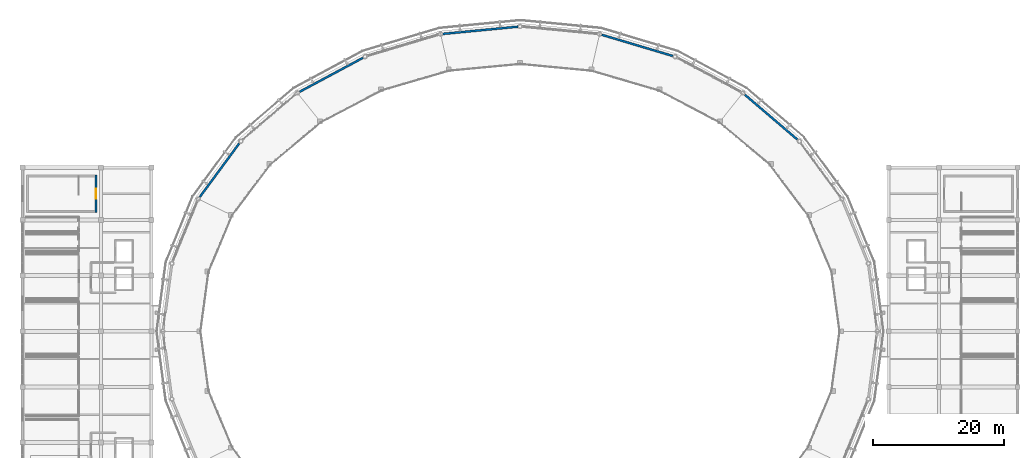
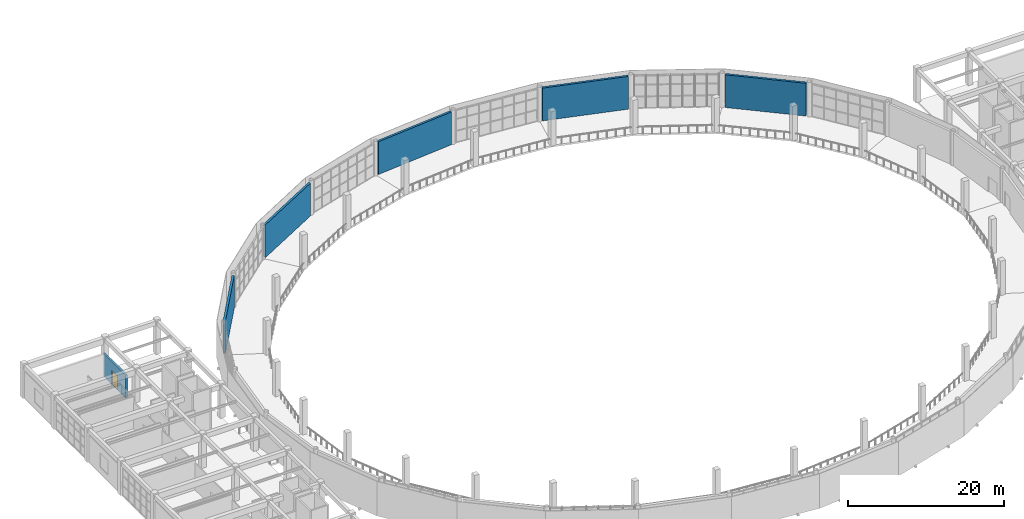
# One storey, part 33 of 40: 6 walls, 1 door, 1 opening.
"""IFC4 building model written with IfcOpenShell, lengths in metres."""

from ifc_helpers import new_model, si_unit, direction, frame, frame_2d, origin, place, context, subcontext, project, spatial, rectangle, extrude, material, layer, layer_set, type_object, element, fill, save


model = new_model("IFC4")

# Units and contexts
model_context = context("Model", 3, precision=1e-05, world=origin(), true_north=direction((0.0, 1.0)))
body_context = subcontext(model_context, "Body", "Model", "MODEL_VIEW")
ifc_project = project(units=[si_unit("LENGTHUNIT", "METRE"), si_unit("AREAUNIT", "SQUARE_METRE"), si_unit("VOLUMEUNIT", "CUBIC_METRE"), si_unit("PLANEANGLEUNIT", "RADIAN"), si_unit("MASSUNIT", "GRAM", prefix="KILO")], contexts=[model_context])

# Site, building, storey
site_placement = place(None, origin())
site = spatial("IfcSite", under=ifc_project, at=site_placement, CompositionType="ELEMENT")
building_placement = place(site_placement, origin())
building = spatial("IfcBuilding", under=site, at=building_placement, Name="Cuetzalor Civic Arena", CompositionType="ELEMENT")
storey_placement = place(building_placement, frame((0.0, 0.0, 26.39990234375)))
storey = spatial("IfcBuildingStorey", under=building, at=storey_placement, Name="L05", CompositionType="ELEMENT", Elevation=26.39990234375)

# Wall, opening, door
ifc_material_1 = material(Name="Concrete C40/50", Category="concrete")
ifc_layer_1 = layer(ifc_material_1, 0.25)
ifc_layer_set_1 = layer_set([ifc_layer_1], Name="Concrete C40/50")
wall_type_1 = type_object("IfcWallType", Name="ConcreteCoreShearWall_250", PredefinedType="SHEAR", material=ifc_layer_set_1)
wall_1_placement = place(storey_placement, frame((-64.77490234375, 23.85009765625, 0.0), z_axis=(0.0, 0.0, 1.0), x_axis=(0.0, -1.0, 0.0)))
wall_1 = element("IfcWall", 1, at=wall_1_placement, inside=storey, type_object=wall_type_1, Name="Stair Core Shear Wall ST-17-L05-E", PredefinedType="SHEAR", context=body_context, shape_type="SweptSolid", body=[
    extrude(rectangle(XDim=5.7001953125, YDim=0.25, at=frame_2d((2.85009765625, 0.0))), origin(), (0.0, 0.0, 1.0), 3.60009765625),
])
opening_placement = place(wall_1_placement, frame((2.10009765625, 0.0, 0.0)))
opening = element("IfcOpeningElement", 2, at=opening_placement, cuts=wall_1, Name="Opening FD-03", PredefinedType="OPENING", context=body_context, shape_type="SweptSolid", body=[
    extrude(rectangle(XDim=1.5, YDim=2.199951171875, at=frame_2d((0.75, 1.10009765625))), frame((0.0, 0.135009765625, 0.0), z_axis=(0.0, -1.0, 0.0), x_axis=(1.0, 0.0, 0.0)), (0.0, 0.0, 1.0), 0.27001953125),
])
ifc_material_2 = material(Name="Fire-rated steel stair exit double door", Category="steel")
door_type = type_object("IfcDoorType", Name="StairFireDoubleDoor_1500x2200", OperationType="DOUBLE_DOOR_SINGLE_SWING", PredefinedType="DOOR", material=ifc_material_2)
door_placement = place(opening_placement, origin())
door = element("IfcDoor", 3, at=door_placement, inside=storey, type_object=door_type, Name="Fire Stair Door ST-17 L05", OperationType="DOUBLE_DOOR_SINGLE_SWING", OverallHeight=2.199951171875, OverallWidth=1.5, PredefinedType="DOOR", context=body_context, shape_type="SweptSolid", body=[
    extrude(rectangle(XDim=1.5, YDim=2.199951171875, at=frame_2d((0.75, 1.10009765625))), frame((0.0, 0.02490234375, 0.0), z_axis=(0.0, -1.0, 0.0), x_axis=(1.0, 0.0, 0.0)), (0.0, 0.0, 1.0), 0.050048828125),
])
fill(opening, door)

# Walls
ifc_material_3 = material(Name="Precast concrete C40/50 insulated cladding", Category="concrete")
ifc_layer_2 = layer(ifc_material_3, 0.320068359375)
ifc_layer_set_2 = layer_set([ifc_layer_2], Name="Precast concrete C40/50 insulated cladding")
wall_type_2 = type_object("IfcWallType", Name="InsulatedPrecastWall_320", PredefinedType="SOLIDWALL", material=ifc_layer_set_2)
wall_2_placement = place(storey_placement, frame((34.32470703125, 36.126953125, 0.0), z_axis=(0.0, 0.0, 1.0), x_axis=(0.760681761173, -0.649124994296, 0.0)))
element("IfcWall", 4, at=wall_2_placement, inside=storey, type_object=wall_type_2, Name="Drum Acoustic Backing Wall L05-075", PredefinedType="SOLIDWALL", context=body_context, shape_type="SweptSolid", body=[
    extrude(rectangle(XDim=10.531005859375, YDim=0.320068359375, at=frame_2d((5.265625, 0.0))), origin(), (0.0, 0.0, 1.0), 5.135986328125),
])
wall_3_placement = place(storey_placement, frame((12.48486328125, 45.279541015625, 0.0), z_axis=(0.0, 0.0, 1.0), x_axis=(0.958192076012, -0.286125751144, 0.0)))
element("IfcWall", 5, at=wall_3_placement, inside=storey, type_object=wall_type_2, Name="Drum Acoustic Backing Wall L05-076", PredefinedType="SOLIDWALL", context=body_context, shape_type="SweptSolid", body=[
    extrude(rectangle(XDim=11.31005859375, YDim=0.320068359375, at=frame_2d((5.655029296875, 0.0))), origin(), (0.0, 0.0, 1.0), 5.135986328125),
])
wall_4_placement = place(storey_placement, frame((-11.8251953125, 45.4130859375, 0.0), z_axis=(0.0, 0.0, 1.0), x_axis=(0.995408913067, 0.095713613383, 0.0)))
element("IfcWall", 6, at=wall_4_placement, inside=storey, type_object=wall_type_2, Name="Drum Acoustic Backing Wall L05-077", PredefinedType="SOLIDWALL", context=body_context, shape_type="SweptSolid", body=[
    extrude(rectangle(XDim=11.56494140625, YDim=0.320068359375, at=frame_2d((5.782470703125, 0.0))), origin(), (0.0, 0.0, 1.0), 5.135986328125),
])
wall_5_placement = place(storey_placement, frame((-33.663330078125, 36.580810546875, 0.0), z_axis=(0.0, 0.0, 1.0), x_axis=(0.881305503949, 0.472546938102, 0.0)))
element("IfcWall", 7, at=wall_5_placement, inside=storey, type_object=wall_type_2, Name="Drum Acoustic Backing Wall L05-078", PredefinedType="SOLIDWALL", context=body_context, shape_type="SweptSolid", body=[
    extrude(rectangle(XDim=10.9462890625, YDim=0.320068359375, at=frame_2d((5.47314453125, 0.0))), origin(), (0.0, 0.0, 1.0), 5.135986328125),
])
wall_6_placement = place(storey_placement, frame((-48.90576171875, 20.526123046875, 0.0), z_axis=(0.0, 0.0, 1.0), x_axis=(0.592929724135, 0.805254209698, 0.0)))
element("IfcWall", 8, at=wall_6_placement, inside=storey, type_object=wall_type_2, Name="Drum Acoustic Backing Wall L05-079", PredefinedType="SOLIDWALL", context=body_context, shape_type="SweptSolid", body=[
    extrude(rectangle(XDim=10.14404296875, YDim=0.320068359375, at=frame_2d((5.072021484375, 0.0))), origin(), (0.0, 0.0, 1.0), 5.135986328125),
])

save(model, "model.ifc")
